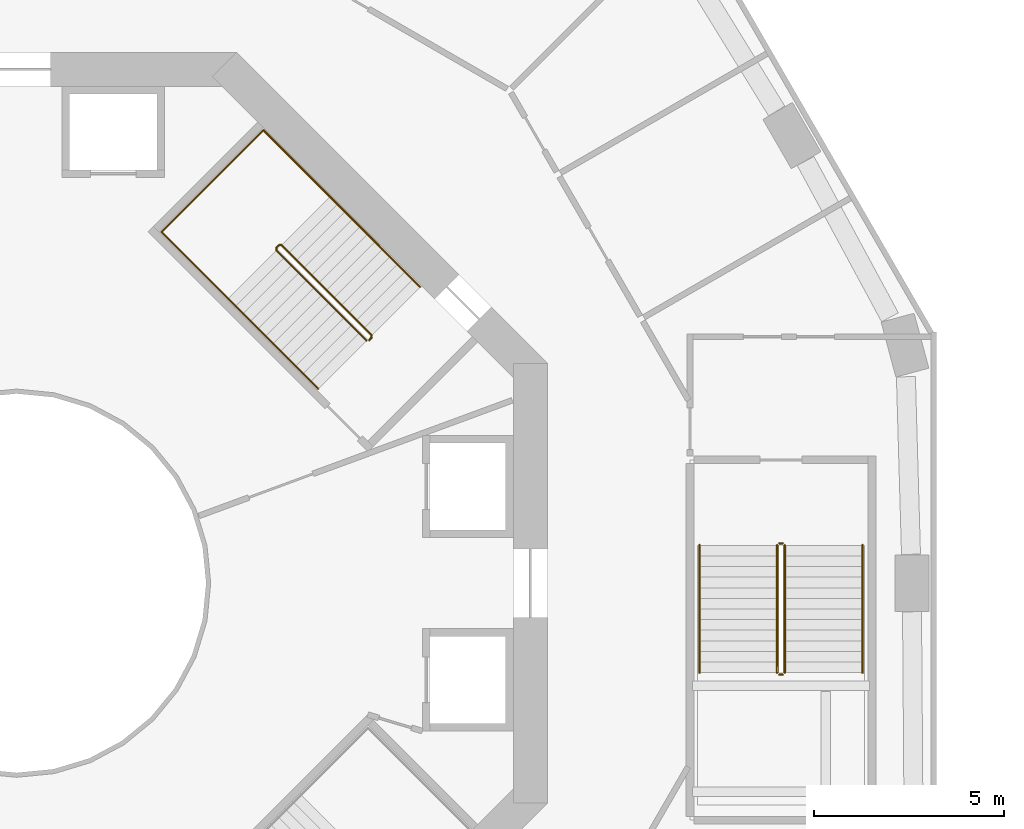
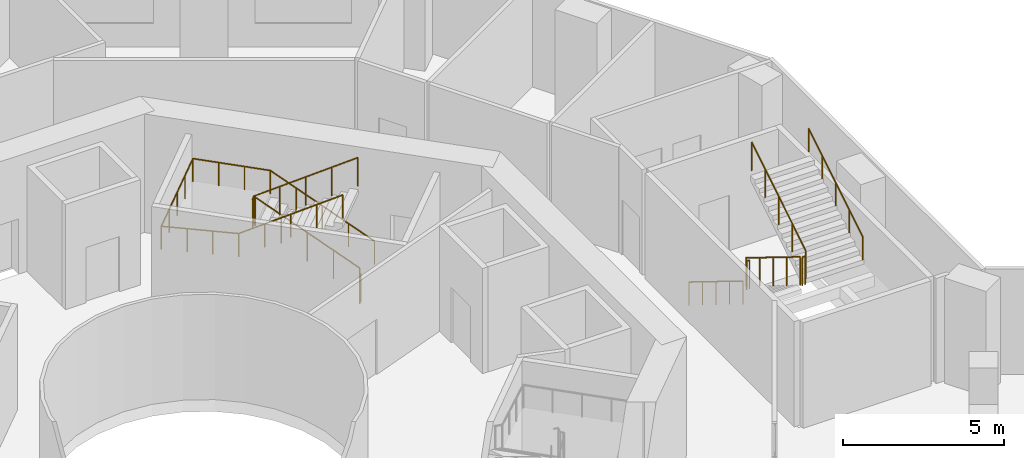
# One storey, part 18 of 20: 8 railings.
"""IFC4 building model written with IfcOpenShell, lengths in metres."""

from ifc_helpers import new_model, si_unit, direction, frame, origin, origin_2d, place, context, subcontext, project, spatial, circle, extrude, material, type_object, element, save


model = new_model("IFC4")

# Units and contexts
model_context = context("Model", 3, precision=1e-05, world=origin(), true_north=direction((0.0, 1.0)))
body_context = subcontext(model_context, "Body", "Model", "MODEL_VIEW")
ifc_project = project(units=[si_unit("LENGTHUNIT", "METRE"), si_unit("AREAUNIT", "SQUARE_METRE"), si_unit("VOLUMEUNIT", "CUBIC_METRE"), si_unit("PLANEANGLEUNIT", "RADIAN"), si_unit("MASSUNIT", "GRAM", prefix="KILO")], contexts=[model_context])

# Site, building, storey
site_placement = place(None, origin())
site = spatial("IfcSite", under=ifc_project, at=site_placement, CompositionType="ELEMENT")
building_placement = place(site_placement, origin())
building = spatial("IfcBuilding", under=site, at=building_placement, Name="Verdalira Terraces Hotel", CompositionType="ELEMENT")
storey_placement = place(building_placement, frame((0.0, 0.0, 23.5)))
storey = spatial("IfcBuildingStorey", under=building, at=storey_placement, Name="L04", CompositionType="ELEMENT", Elevation=23.5)

# Railings
ifc_material_1 = material(Name="Stainless steel", Category="steel")
railing_type_1 = type_object("IfcRailingType", Name="Stair guard 1100", PredefinedType="GUARDRAIL", material=ifc_material_1)
railing_1_placement = place(storey_placement, frame((9.369141, 6.469971, 0.0)))
element("IfcRailing", 1, at=railing_1_placement, inside=storey, type_object=railing_type_1, Name="L04 ST1 stair guard 1", PredefinedType="GUARDRAIL", context=body_context, shape_type="SweptSolid", body=[
    extrude(circle(Radius=0.023926, at=origin_2d()), frame((0.0, 0.0, 1.076172), z_axis=(-0.70832698, -0.705884473, 0.0), x_axis=(0.705884473, -0.70832698, 0.0)), (0.0, 0.0, 1.0), 0.099854),
    extrude(circle(Radius=0.023926, at=origin_2d()), frame((-0.070801, -0.070557, 1.076172), z_axis=(0.302014195, 0.602986962, 0.738372636), x_axis=(-0.894118129, 0.447831187, 0.0)), (0.0, 0.0, 1.0), 0.234375),
    extrude(circle(Radius=0.023926, at=origin_2d()), frame((0.0, 0.070801, 1.249023), z_axis=(-0.601505331, 0.601443524, 0.525791806), x_axis=(-0.707070449, -0.707143111, 0.0)), (0.0, 0.0, 1.0), 3.949951),
    extrude(circle(Radius=0.023926, at=origin_2d()), frame((-2.375977, 2.446533, 3.326172), z_axis=(-1.0, 0.0, 0.0), x_axis=(0.0, -1.0, 0.0)), (0.0, 0.0, 1.0), 0.070557),
    extrude(circle(Radius=0.023926, at=origin_2d()), frame((-2.446533, 2.446533, 3.326172), z_axis=(-0.70832698, -0.705884473, 0.0), x_axis=(0.705884473, -0.70832698, 0.0)), (0.0, 0.0, 1.0), 0.099854),
    extrude(circle(Radius=0.023926, at=origin_2d()), frame((-2.517334, 2.375977, 3.326172), z_axis=(0.0, -0.378582013, 0.92556775), x_axis=(1.0, 0.0, 0.0)), (0.0, 0.0, 1.0), 0.187012),
    extrude(circle(Radius=0.023926, at=origin_2d()), frame((-2.517334, 2.305176, 3.499023), z_axis=(0.601505331, -0.601443524, 0.525791806), x_axis=(0.707070449, 0.707143111, 0.0)), (0.0, 0.0, 1.0), 3.949951),
    extrude(circle(Radius=0.020996, at=origin_2d()), origin(), (0.0, 0.0, 1.0), 1.052002),
    extrude(circle(Radius=0.020996, at=origin_2d()), frame((-0.070801, -0.070557, 0.0)), (0.0, 0.0, 1.0), 1.052002),
    extrude(circle(Radius=0.020996, at=origin_2d()), frame((0.0, 0.070801, 0.173096)), (0.0, 0.0, 1.0), 1.052002),
    extrude(circle(Radius=0.020996, at=origin_2d()), frame((-0.593994, 0.664795, 0.692383)), (0.0, 0.0, 1.0), 1.052002),
    extrude(circle(Radius=0.020996, at=origin_2d()), frame((-1.187988, 1.258789, 1.211426)), (0.0, 0.0, 1.0), 1.052002),
    extrude(circle(Radius=0.020996, at=origin_2d()), frame((-1.781982, 1.852539, 1.730713)), (0.0, 0.0, 1.0), 1.052002),
    extrude(circle(Radius=0.020996, at=origin_2d()), frame((-2.375977, 2.446533, 2.25)), (0.0, 0.0, 1.0), 1.052002),
    extrude(circle(Radius=0.020996, at=origin_2d()), frame((-2.446533, 2.446533, 2.25)), (0.0, 0.0, 1.0), 1.052002),
    extrude(circle(Radius=0.020996, at=origin_2d()), frame((-2.517334, 2.375977, 2.25)), (0.0, 0.0, 1.0), 1.052002),
    extrude(circle(Radius=0.020996, at=origin_2d()), frame((-2.517334, 2.305176, 2.423096)), (0.0, 0.0, 1.0), 1.052002),
    extrude(circle(Radius=0.020996, at=origin_2d()), frame((-1.92334, 1.711182, 2.942383)), (0.0, 0.0, 1.0), 1.052002),
    extrude(circle(Radius=0.020996, at=origin_2d()), frame((-1.329346, 1.117188, 3.461426)), (0.0, 0.0, 1.0), 1.052002),
    extrude(circle(Radius=0.020996, at=origin_2d()), frame((-0.735352, 0.523438, 3.980713)), (0.0, 0.0, 1.0), 1.052002),
    extrude(circle(Radius=0.020996, at=origin_2d()), frame((-0.141357, -0.070557, 4.5)), (0.0, 0.0, 1.0), 1.052002),
])
railing_2_placement = place(storey_placement, frame((20.05835, 1.0, 0.173096)))
element("IfcRailing", 2, at=railing_2_placement, inside=storey, type_object=railing_type_1, Name="L04 PS4 stair guard 1", PredefinedType="GUARDRAIL", context=body_context, shape_type="SweptSolid", body=[
    extrude(circle(Radius=0.023926, at=origin_2d()), frame((0.0, 0.0, 1.076172), z_axis=(0.0, -0.850623217, 0.525775754), x_axis=(1.0, 0.0, 0.0)), (0.0, 0.0, 1.0), 3.950195),
    extrude(circle(Radius=0.020996, at=origin_2d()), origin(), (0.0, 0.0, 1.0), 1.052002),
    extrude(circle(Radius=0.020996, at=origin_2d()), frame((0.0, -0.840088, 0.519287)), (0.0, 0.0, 1.0), 1.052002),
    extrude(circle(Radius=0.020996, at=origin_2d()), frame((0.0, -1.680176, 1.038574)), (0.0, 0.0, 1.0), 1.052002),
    extrude(circle(Radius=0.020996, at=origin_2d()), frame((0.0, -2.52002, 1.557617)), (0.0, 0.0, 1.0), 1.052002),
    extrude(circle(Radius=0.020996, at=origin_2d()), frame((0.0, -3.360107, 2.076904)), (0.0, 0.0, 1.0), 1.052002),
])
railing_3_placement = place(storey_placement, frame((20.108398, -2.409912, 2.25)))
element("IfcRailing", 3, at=railing_3_placement, inside=storey, type_object=railing_type_1, Name="L04 PS4 stair guard 2", PredefinedType="GUARDRAIL", context=body_context, shape_type="SweptSolid", body=[
    extrude(circle(Radius=0.023926, at=origin_2d()), frame((0.0, 0.0, 1.076172), z_axis=(1.0, 0.0, 0.0), x_axis=(0.0, 1.0, 0.0)), (0.0, 0.0, 1.0), 0.099854),
    extrude(circle(Radius=0.020996, at=origin_2d()), origin(), (0.0, 0.0, 1.0), 1.052002),
    extrude(circle(Radius=0.020996, at=origin_2d()), frame((0.099854, 0.0, 0.0)), (0.0, 0.0, 1.0), 1.052002),
])
railing_4_placement = place(storey_placement, frame((20.258301, -2.360107, 2.423096)))
element("IfcRailing", 4, at=railing_4_placement, inside=storey, type_object=railing_type_1, Name="L04 PS4 stair guard 3", PredefinedType="GUARDRAIL", context=body_context, shape_type="SweptSolid", body=[
    extrude(circle(Radius=0.023926, at=origin_2d()), frame((0.0, 0.0, 1.076172), z_axis=(0.0, 0.850623217, 0.525775754), x_axis=(-1.0, 0.0, 0.0)), (0.0, 0.0, 1.0), 3.950195),
    extrude(circle(Radius=0.020996, at=origin_2d()), origin(), (0.0, 0.0, 1.0), 1.052002),
    extrude(circle(Radius=0.020996, at=origin_2d()), frame((0.0, 0.840088, 0.519287)), (0.0, 0.0, 1.0), 1.052002),
    extrude(circle(Radius=0.020996, at=origin_2d()), frame((0.0, 1.680176, 1.038574)), (0.0, 0.0, 1.0), 1.052002),
    extrude(circle(Radius=0.020996, at=origin_2d()), frame((0.0, 2.52002, 1.557617)), (0.0, 0.0, 1.0), 1.052002),
    extrude(circle(Radius=0.020996, at=origin_2d()), frame((0.0, 3.360107, 2.076904)), (0.0, 0.0, 1.0), 1.052002),
])
railing_5_placement = place(storey_placement, frame((20.108398, 1.050049, 0.0)))
element("IfcRailing", 5, at=railing_5_placement, inside=storey, type_object=railing_type_1, Name="L04 PS4 stair guard 4", PredefinedType="GUARDRAIL", context=body_context, shape_type="SweptSolid", body=[
    extrude(circle(Radius=0.023926, at=origin_2d()), frame((0.0, 0.0, 1.076172), z_axis=(1.0, 0.0, 0.0), x_axis=(0.0, 1.0, 0.0)), (0.0, 0.0, 1.0), 0.099854),
    extrude(circle(Radius=0.020996, at=origin_2d()), origin(), (0.0, 0.0, 1.0), 1.052002),
    extrude(circle(Radius=0.020996, at=origin_2d()), frame((0.099854, 0.0, 0.0)), (0.0, 0.0, 1.0), 1.052002),
])
ifc_material_2 = material(Name="Stainless steel", Category="steel")
railing_type_2 = type_object("IfcRailingType", Name="Stair handrail 900", PredefinedType="HANDRAIL", material=ifc_material_2)
railing_6_placement = place(storey_placement, frame((10.641846, 7.813477, 0.173096)))
element("IfcRailing", 6, at=railing_6_placement, inside=storey, type_object=railing_type_2, Name="L04 ST1 stair handrail 1", PredefinedType="HANDRAIL", context=body_context, shape_type="SweptSolid", body=[
    extrude(circle(Radius=0.023926, at=origin_2d()), frame((0.0, 0.0, 0.875977), z_axis=(-0.601443524, 0.601505331, 0.525791806), x_axis=(-0.707143111, -0.707070449, 0.0)), (0.0, 0.0, 1.0), 3.949951),
    extrude(circle(Radius=0.023926, at=origin_2d()), frame((-2.375732, 2.375977, 2.952637), z_axis=(-0.707106781, 0.707106781, 0.0), x_axis=(-0.707106781, -0.707106781, 0.0)), (0.0, 0.0, 1.0), 2.48999),
    extrude(circle(Radius=0.023926, at=origin_2d()), frame((-4.136475, 4.136719, 2.952637), z_axis=(-0.707106781, -0.707106781, 0.0), x_axis=(0.707106781, -0.707106781, 0.0)), (0.0, 0.0, 1.0), 3.800049),
    extrude(circle(Radius=0.023926, at=origin_2d()), frame((-6.823486, 1.449707, 2.952637), z_axis=(0.705404483, -0.705404483, 0.069347168), x_axis=(0.707106781, 0.707106781, 0.0)), (0.0, 0.0, 1.0), 2.496094),
    extrude(circle(Radius=0.023926, at=origin_2d()), frame((-5.062744, -0.311035, 3.125977), z_axis=(0.601443524, -0.601505331, 0.525791806), x_axis=(0.707143111, 0.707070449, 0.0)), (0.0, 0.0, 1.0), 3.949951),
    extrude(circle(Radius=0.020996, at=origin_2d()), origin(), (0.0, 0.0, 1.0), 0.851807),
    extrude(circle(Radius=0.020996, at=origin_2d()), frame((-0.593994, 0.593994, 0.519287)), (0.0, 0.0, 1.0), 0.851807),
    extrude(circle(Radius=0.020996, at=origin_2d()), frame((-1.187988, 1.187988, 1.038574)), (0.0, 0.0, 1.0), 0.851807),
    extrude(circle(Radius=0.020996, at=origin_2d()), frame((-1.781738, 1.781982, 1.557617)), (0.0, 0.0, 1.0), 0.851807),
    extrude(circle(Radius=0.020996, at=origin_2d()), frame((-2.375732, 2.375977, 2.076904)), (0.0, 0.0, 1.0), 0.851807),
    extrude(circle(Radius=0.020996, at=origin_2d()), frame((-2.962646, 2.962891, 2.076904)), (0.0, 0.0, 1.0), 0.851807),
    extrude(circle(Radius=0.020996, at=origin_2d()), frame((-3.549561, 3.549805, 2.076904)), (0.0, 0.0, 1.0), 0.851807),
    extrude(circle(Radius=0.020996, at=origin_2d()), frame((-4.136475, 4.136719, 2.076904)), (0.0, 0.0, 1.0), 0.851807),
    extrude(circle(Radius=0.020996, at=origin_2d()), frame((-4.808105, 3.464844, 2.076904)), (0.0, 0.0, 1.0), 0.851807),
    extrude(circle(Radius=0.020996, at=origin_2d()), frame((-5.47998, 2.793213, 2.076904)), (0.0, 0.0, 1.0), 0.851807),
    extrude(circle(Radius=0.020996, at=origin_2d()), frame((-6.151855, 2.121582, 2.076904)), (0.0, 0.0, 1.0), 0.851807),
    extrude(circle(Radius=0.020996, at=origin_2d()), frame((-6.823486, 1.449707, 2.076904)), (0.0, 0.0, 1.0), 0.851807),
    extrude(circle(Radius=0.020996, at=origin_2d()), frame((-6.236572, 0.862793, 2.134521)), (0.0, 0.0, 1.0), 0.851807),
    extrude(circle(Radius=0.020996, at=origin_2d()), frame((-5.649658, 0.275879, 2.192383)), (0.0, 0.0, 1.0), 0.851807),
    extrude(circle(Radius=0.020996, at=origin_2d()), frame((-5.062744, -0.311035, 2.25)), (0.0, 0.0, 1.0), 0.851807),
    extrude(circle(Radius=0.020996, at=origin_2d()), frame((-4.46875, -0.905029, 2.769287)), (0.0, 0.0, 1.0), 0.851807),
    extrude(circle(Radius=0.020996, at=origin_2d()), frame((-3.875, -1.499023, 3.288574)), (0.0, 0.0, 1.0), 0.851807),
    extrude(circle(Radius=0.020996, at=origin_2d()), frame((-3.281006, -2.093018, 3.807617)), (0.0, 0.0, 1.0), 0.851807),
    extrude(circle(Radius=0.020996, at=origin_2d()), frame((-2.687012, -2.687012, 4.326904)), (0.0, 0.0, 1.0), 0.851807),
])
railing_7_placement = place(storey_placement, frame((18.008301, 1.0, 0.173096)))
element("IfcRailing", 7, at=railing_7_placement, inside=storey, type_object=railing_type_2, Name="L04 PS4 stair handrail 1", PredefinedType="HANDRAIL", context=body_context, shape_type="SweptSolid", body=[
    extrude(circle(Radius=0.023926, at=origin_2d()), frame((0.0, 0.0, 0.875977), z_axis=(0.0, -0.850623217, 0.525775754), x_axis=(1.0, 0.0, 0.0)), (0.0, 0.0, 1.0), 3.950195),
    extrude(circle(Radius=0.020996, at=origin_2d()), origin(), (0.0, 0.0, 1.0), 0.851807),
    extrude(circle(Radius=0.020996, at=origin_2d()), frame((0.0, -0.840088, 0.519287)), (0.0, 0.0, 1.0), 0.851807),
    extrude(circle(Radius=0.020996, at=origin_2d()), frame((0.0, -1.680176, 1.038574)), (0.0, 0.0, 1.0), 0.851807),
    extrude(circle(Radius=0.020996, at=origin_2d()), frame((0.0, -2.52002, 1.557617)), (0.0, 0.0, 1.0), 0.851807),
    extrude(circle(Radius=0.020996, at=origin_2d()), frame((0.0, -3.360107, 2.076904)), (0.0, 0.0, 1.0), 0.851807),
])
railing_8_placement = place(storey_placement, frame((22.30835, -2.360107, 2.423096)))
element("IfcRailing", 8, at=railing_8_placement, inside=storey, type_object=railing_type_2, Name="L04 PS4 stair handrail 2", PredefinedType="HANDRAIL", context=body_context, shape_type="SweptSolid", body=[
    extrude(circle(Radius=0.023926, at=origin_2d()), frame((0.0, 0.0, 0.875977), z_axis=(0.0, 0.850623217, 0.525775754), x_axis=(-1.0, 0.0, 0.0)), (0.0, 0.0, 1.0), 3.950195),
    extrude(circle(Radius=0.020996, at=origin_2d()), origin(), (0.0, 0.0, 1.0), 0.851807),
    extrude(circle(Radius=0.020996, at=origin_2d()), frame((0.0, 0.840088, 0.519287)), (0.0, 0.0, 1.0), 0.851807),
    extrude(circle(Radius=0.020996, at=origin_2d()), frame((0.0, 1.680176, 1.038574)), (0.0, 0.0, 1.0), 0.851807),
    extrude(circle(Radius=0.020996, at=origin_2d()), frame((0.0, 2.52002, 1.557617)), (0.0, 0.0, 1.0), 0.851807),
    extrude(circle(Radius=0.020996, at=origin_2d()), frame((0.0, 3.360107, 2.076904)), (0.0, 0.0, 1.0), 0.851807),
])

save(model, "model.ifc")
